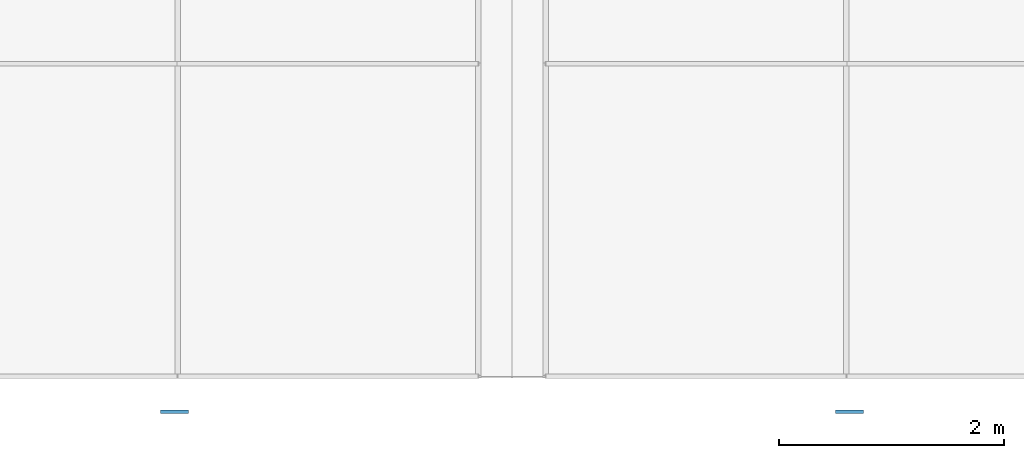
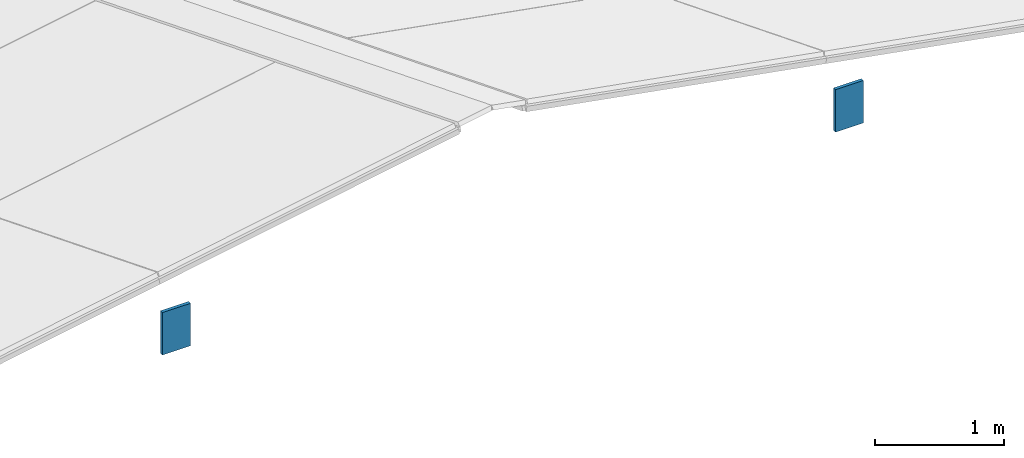
# One storey, part 11 of 12: 2 plates.
"""IFC4 building model written with IfcOpenShell, lengths in metres."""

from ifc_helpers import new_model, si_unit, direction, frame, origin, place, context, subcontext, project, spatial, polyline, outline, extrude, material, layer, layer_set, type_object, element, save


model = new_model("IFC4")

# Units and contexts
model_context = context("Model", 3, precision=1e-05, world=origin(), true_north=direction((0.0, 1.0)))
body_context = subcontext(model_context, "Body", "Model", "MODEL_VIEW")
ifc_project = project(units=[si_unit("LENGTHUNIT", "METRE"), si_unit("AREAUNIT", "SQUARE_METRE"), si_unit("VOLUMEUNIT", "CUBIC_METRE"), si_unit("PLANEANGLEUNIT", "RADIAN"), si_unit("MASSUNIT", "GRAM", prefix="KILO")], contexts=[model_context])

# Site, building, storey
site_placement = place(None, origin())
site = spatial("IfcSite", under=ifc_project, at=site_placement, CompositionType="ELEMENT")
building_placement = place(site_placement, origin())
building = spatial("IfcBuilding", under=site, at=building_placement, Name="Aloe Facet Convention Tower", CompositionType="ELEMENT")
storey_placement = place(building_placement, frame((0.0, 0.0, 306.5)))
storey = spatial("IfcBuildingStorey", under=building, at=storey_placement, Name="C6", CompositionType="ELEMENT", Elevation=306.5)

# Plates
ifc_material = material(Name="Steel S355", Category="steel")
ifc_layer = layer(ifc_material, 0.030029296875)
ifc_layer_set = layer_set([ifc_layer], Name="STW-CROWN END PLATE")
plate_type = type_object("IfcPlateType", Name="STW-CROWN END PLATE", PredefinedType="SHEET", material=ifc_layer_set)
for number, where, z_axis, x_axis, name in (
    (1, (76.875, 109.180419921875, 0.53466796875), (0.0, 1.0, 0.0), (1.0, 0.0, 0.0), "End plate CF-EP-W01S"),
    (2, (82.875, 109.180419921875, 0.53466796875), (0.0, 1.0, 0.0), (1.0, 0.0, 0.0), "End plate CF-EP-E02S"),
):
    element("IfcPlate", number, at=place(storey_placement, frame(where, z_axis=z_axis, x_axis=x_axis)), inside=storey, type_object=plate_type, Name=name, PredefinedType="SHEET", context=body_context, shape_type="SweptSolid", body=[
        extrude(outline(polyline([(0.0, 0.0), (0.25, 0.0), (0.25, 0.39990234375), (0.0, 0.39990234375), (0.0, 0.0)])), origin(), (0.0, 0.0, -1.0), 0.030029296875),
    ])

save(model, "model.ifc")
